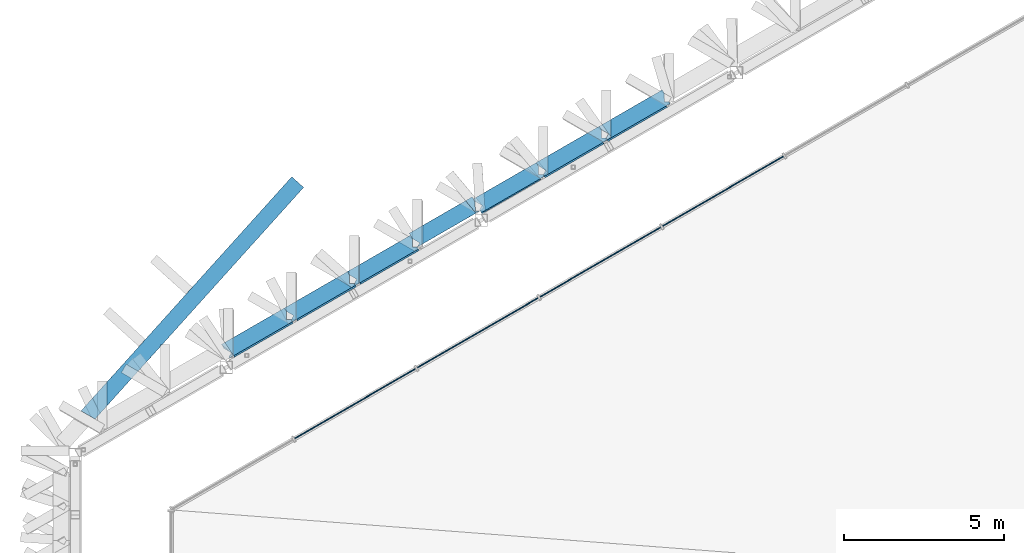
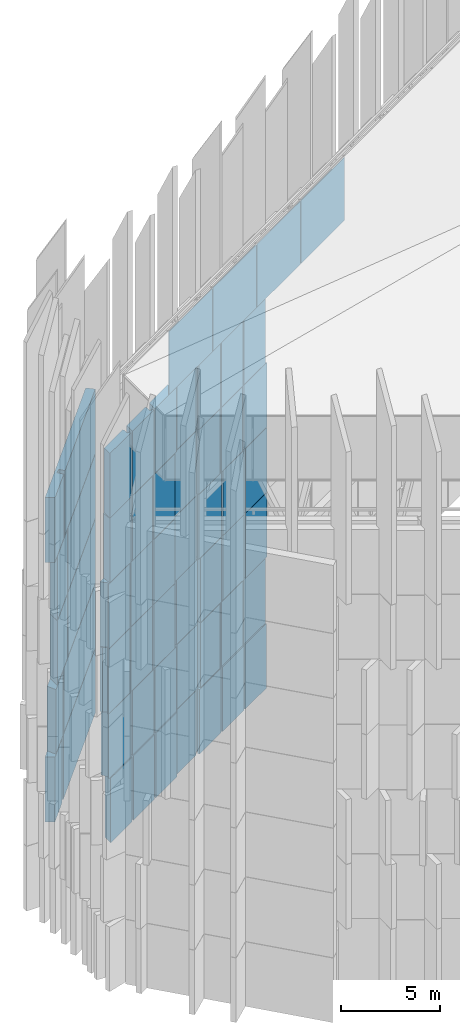
# One storey, part 32 of 45: 51 plates, 1 element without a shape of its own.
"""IFC4 building model written with IfcOpenShell, lengths in metres."""

from ifc_helpers import new_model, si_unit, direction, frame, origin, origin_2d, place, context, subcontext, project, spatial, polyline, rectangle, outline, extrude, material, layer, layer_set, type_object, element, aggregate, save


model = new_model("IFC4")

# Units and contexts
model_context = context("Model", 3, precision=1e-05, world=origin(), true_north=direction((0.0, 1.0)))
body_context = subcontext(model_context, "Body", "Model", "MODEL_VIEW")
ifc_project = project(units=[si_unit("LENGTHUNIT", "METRE"), si_unit("AREAUNIT", "SQUARE_METRE"), si_unit("VOLUMEUNIT", "CUBIC_METRE"), si_unit("PLANEANGLEUNIT", "RADIAN"), si_unit("MASSUNIT", "GRAM", prefix="KILO")], contexts=[model_context])

# Site, building, storey
site_placement = place(None, origin())
site = spatial("IfcSite", under=ifc_project, at=site_placement, CompositionType="ELEMENT")
building_placement = place(site_placement, origin())
building = spatial("IfcBuilding", under=site, at=building_placement, Name="Jabali Bay Hotel Tower and Convention Centre", CompositionType="ELEMENT")
storey_placement = place(building_placement, frame((0.0, 0.0, 322.39990234375)))
storey = spatial("IfcBuildingStorey", under=building, at=storey_placement, Name="Crown", CompositionType="ELEMENT", Elevation=322.39990234375)

# Curtain wall, plates
ifc_material_1 = material(Name="Aluminium and glass", Category="aluminium")
ifc_layer_1 = layer(ifc_material_1, 0.199951171875)
ifc_layer_set_1 = layer_set([ifc_layer_1], Name="Aluminium and glass")
curtain_wall_type = type_object("IfcCurtainWallType", Name="CW6 curtain wall", PredefinedType="NOTDEFINED", material=ifc_layer_set_1)
curtain_wall_placement = place(storey_placement, origin())
curtain_wall = element("IfcCurtainWall", 1, at=curtain_wall_placement, inside=storey, type_object=curtain_wall_type, Name="CW6 lantern glazing 3", PredefinedType="NOTDEFINED")
ifc_material_2 = material(Name="Glass", Category="glass")
ifc_layer_2 = layer(ifc_material_2, 0.031982421875)
ifc_layer_set_2 = layer_set([ifc_layer_2], Name="Glass")
plate_type_1 = type_object("IfcPlateType", Name="CW6 glass panel 32", PredefinedType="CURTAIN_PANEL", material=ifc_layer_set_2)
plate_1_placement = place(storey_placement, frame((65.505615234375, 92.0107421875, 28.41015625), z_axis=(0.0, 0.0, 1.0), x_axis=(-0.866025400826, -0.500000005124, 0.0)))
plate_1 = element("IfcPlate", 2, at=plate_1_placement, type_object=plate_type_1, Name="CW6 panel 6.1", PredefinedType="CURTAIN_PANEL", context=body_context, shape_type="SweptSolid", body=[
    extrude(rectangle(XDim=4.3740234375, YDim=0.031982421875, at=origin_2d()), origin(), (0.0, 0.0, 1.0), 3.8798828125),
])
plate_2_placement = place(storey_placement, frame((61.665771484375, 89.793701171875, 28.41015625), z_axis=(0.0, 0.0, 1.0), x_axis=(-0.866025400826, -0.500000005124, 0.0)))
plate_2 = element("IfcPlate", 3, at=plate_2_placement, type_object=plate_type_1, Name="CW6 panel 7.1", PredefinedType="CURTAIN_PANEL", context=body_context, shape_type="SweptSolid", body=[
    extrude(rectangle(XDim=4.3740234375, YDim=0.031982421875, at=origin_2d()), origin(), (0.0, 0.0, 1.0), 3.8798828125),
])
plate_3_placement = place(storey_placement, frame((57.82568359375, 87.57666015625, 28.41015625), z_axis=(0.0, 0.0, 1.0), x_axis=(-0.866025400826, -0.500000005124, 0.0)))
plate_3 = element("IfcPlate", 4, at=plate_3_placement, type_object=plate_type_1, Name="CW6 panel 8.1", PredefinedType="CURTAIN_PANEL", context=body_context, shape_type="SweptSolid", body=[
    extrude(rectangle(XDim=4.3740234375, YDim=0.031982421875, at=origin_2d()), origin(), (0.0, 0.0, 1.0), 3.8798828125),
])
plate_4_placement = place(storey_placement, frame((53.98583984375, 85.35986328125, 28.41015625), z_axis=(0.0, 0.0, 1.0), x_axis=(-0.866025400826, -0.500000005124, 0.0)))
plate_4 = element("IfcPlate", 5, at=plate_4_placement, type_object=plate_type_1, Name="CW6 panel 9.1", PredefinedType="CURTAIN_PANEL", context=body_context, shape_type="SweptSolid", body=[
    extrude(rectangle(XDim=4.3740234375, YDim=0.031982421875, at=origin_2d()), origin(), (0.0, 0.0, 1.0), 3.8798828125),
])
aggregate(curtain_wall, [plate_1, plate_2, plate_3, plate_4])

# Plates
ifc_material_3 = material(Name="Precast concrete C60", Category="concrete")
ifc_layer_3 = layer(ifc_material_3, 0.5)
ifc_layer_set_3 = layer_set([ifc_layer_3], Name="Precast concrete C60")
plate_type_2 = type_object("IfcPlateType", Name="Pierced precast screen", PredefinedType="USERDEFINED", material=ifc_layer_set_3)
plate_5_placement = place(storey_placement, frame((0.0, 0.0, 0.010009765625)))
element("IfcPlate", 6, at=plate_5_placement, inside=storey, type_object=plate_type_2, Name="Screen 1.2.39", ObjectType="SCREEN", PredefinedType="USERDEFINED", context=body_context, shape_type="SweptSolid", body=[
    extrude(outline(polyline([(61.90771484375, 93.57080078125), (63.7666015625, 94.64404296875), (63.2666015625, 94.9326171875), (61.65771484375, 94.00390625), (61.72021484375, 93.8955078125), (61.9453125, 93.765625), (61.870361328125, 93.6357421875), (61.90771484375, 93.57080078125)])), origin(), (0.0, 0.0, 1.0), 3.9658203125),
])
plate_6_placement = place(storey_placement, frame((0.0, 0.0, 0.010009765625)))
element("IfcPlate", 7, at=plate_6_placement, inside=storey, type_object=plate_type_2, Name="Screen 1.2.40", ObjectType="SCREEN", PredefinedType="USERDEFINED", context=body_context, shape_type="SweptSolid", body=[
    extrude(outline(polyline([(59.9365234375, 92.4326171875), (61.79541015625, 93.505859375), (61.29541015625, 93.79443359375), (59.6865234375, 92.86572265625), (59.7490234375, 92.75732421875), (59.973876953125, 92.62744140625), (59.89892578125, 92.49755859375), (59.9365234375, 92.4326171875)])), origin(), (0.0, 0.0, 1.0), 3.9658203125),
])
plate_7_placement = place(storey_placement, frame((0.0, 0.0, 0.010009765625)))
element("IfcPlate", 8, at=plate_7_placement, inside=storey, type_object=plate_type_2, Name="Screen 1.2.41", ObjectType="SCREEN", PredefinedType="USERDEFINED", context=body_context, shape_type="SweptSolid", body=[
    extrude(outline(polyline([(57.95849609375, 91.305908203125), (59.810791015625, 92.375244140625), (59.310791015625, 92.6640625), (57.780029296875, 91.7802734375), (58.01708984375, 91.499267578125), (57.902587890625, 91.402587890625), (57.95849609375, 91.305908203125)])), origin(), (0.0, 0.0, 1.0), 3.9658203125),
])
plate_8_placement = place(storey_placement, frame((0.0, 0.0, 0.010009765625)))
element("IfcPlate", 9, at=plate_8_placement, inside=storey, type_object=plate_type_2, Name="Screen 1.2.42", ObjectType="SCREEN", PredefinedType="USERDEFINED", context=body_context, shape_type="SweptSolid", body=[
    extrude(outline(polyline([(56.106201171875, 90.363525390625), (57.771728515625, 91.3251953125), (57.444091796875, 91.71337890625), (56.106201171875, 90.94091796875), (56.106201171875, 90.363525390625)])), origin(), (0.0, 0.0, 1.0), 3.9658203125),
])
plate_9_placement = place(storey_placement, frame((0.0, 0.0, 0.010009765625)))
element("IfcPlate", 10, at=plate_9_placement, inside=storey, type_object=plate_type_2, Name="Screen 1.2.43", ObjectType="SCREEN", PredefinedType="USERDEFINED", context=body_context, shape_type="SweptSolid", body=[
    extrude(outline(polyline([(54.134765625, 89.0830078125), (55.99365234375, 90.15625), (55.9560546875, 90.22119140625), (55.80615234375, 90.22119140625), (55.80615234375, 90.48095703125), (55.74365234375, 90.58935546875), (54.134765625, 89.660400390625), (54.134765625, 89.0830078125)])), origin(), (0.0, 0.0, 1.0), 3.9658203125),
])
plate_10_placement = place(storey_placement, frame((0.0, 0.0, 0.010009765625)))
element("IfcPlate", 11, at=plate_10_placement, inside=storey, type_object=plate_type_2, Name="Screen 1.2.44", ObjectType="SCREEN", PredefinedType="USERDEFINED", context=body_context, shape_type="SweptSolid", body=[
    extrude(outline(polyline([(52.163330078125, 87.94482421875), (54.022216796875, 89.01806640625), (53.984619140625, 89.0830078125), (53.834716796875, 89.0830078125), (53.834716796875, 89.3427734375), (53.772216796875, 89.451171875), (52.163330078125, 88.522216796875), (52.163330078125, 87.94482421875)])), origin(), (0.0, 0.0, 1.0), 3.9658203125),
])
plate_11_placement = place(storey_placement, frame((0.0, 0.0, 0.010009765625)))
element("IfcPlate", 12, at=plate_11_placement, inside=storey, type_object=plate_type_2, Name="Screen 1.2.45", ObjectType="SCREEN", PredefinedType="USERDEFINED", context=body_context, shape_type="SweptSolid", body=[
    extrude(outline(polyline([(50.19189453125, 86.806640625), (52.05078125, 87.8798828125), (52.013427734375, 87.94482421875), (51.86328125, 87.94482421875), (51.86328125, 88.20458984375), (51.80078125, 88.31298828125), (50.19189453125, 87.384033203125), (50.19189453125, 86.806640625)])), origin(), (0.0, 0.0, 1.0), 3.9658203125),
])
plate_12_placement = place(storey_placement, frame((0.0, 0.0, 3.995849609375)))
element("IfcPlate", 13, at=plate_12_placement, inside=storey, type_object=plate_type_2, Name="Screen 2.2.39", ObjectType="SCREEN", PredefinedType="USERDEFINED", context=body_context, shape_type="SweptSolid", body=[
    extrude(outline(polyline([(61.8828125, 93.614013671875), (63.74169921875, 94.687255859375), (63.24169921875, 94.97607421875), (61.6328125, 94.047119140625), (61.6953125, 93.93896484375), (61.92041015625, 93.808837890625), (61.84521484375, 93.678955078125), (61.8828125, 93.614013671875)])), origin(), (0.0, 0.0, 1.0), 3.965576171875),
])
plate_13_placement = place(storey_placement, frame((0.0, 0.0, 3.995849609375)))
element("IfcPlate", 14, at=plate_13_placement, inside=storey, type_object=plate_type_2, Name="Screen 2.2.40", ObjectType="SCREEN", PredefinedType="USERDEFINED", context=body_context, shape_type="SweptSolid", body=[
    extrude(outline(polyline([(59.911376953125, 92.475830078125), (61.770263671875, 93.549072265625), (61.270263671875, 93.837890625), (59.721435546875, 92.943603515625), (60.013427734375, 92.5947265625), (59.8984375, 92.498291015625), (59.911376953125, 92.475830078125)])), origin(), (0.0, 0.0, 1.0), 3.965576171875),
])
plate_14_placement = place(storey_placement, frame((0.0, 0.0, 3.995849609375)))
element("IfcPlate", 15, at=plate_14_placement, inside=storey, type_object=plate_type_2, Name="Screen 2.2.41", ObjectType="SCREEN", PredefinedType="USERDEFINED", context=body_context, shape_type="SweptSolid", body=[
    extrude(outline(polyline([(58.056396484375, 91.405029296875), (59.783447265625, 92.402099609375), (59.45751953125, 92.791259765625), (58.020263671875, 91.96142578125), (58.056396484375, 91.405029296875)])), origin(), (0.0, 0.0, 1.0), 3.965576171875),
])
plate_15_placement = place(storey_placement, frame((0.0, 0.0, 3.995849609375)))
element("IfcPlate", 16, at=plate_15_placement, inside=storey, type_object=plate_type_2, Name="Screen 2.2.42", ObjectType="SCREEN", PredefinedType="USERDEFINED", context=body_context, shape_type="SweptSolid", body=[
    extrude(outline(polyline([(56.0810546875, 90.34912109375), (57.891357421875, 91.394287109375), (57.757080078125, 91.385498046875), (57.7373046875, 91.688720703125), (57.6533203125, 91.834228515625), (56.0810546875, 90.92626953125), (56.0810546875, 90.34912109375)])), origin(), (0.0, 0.0, 1.0), 3.965576171875),
])
plate_16_placement = place(storey_placement, frame((0.0, 0.0, 3.995849609375)))
element("IfcPlate", 17, at=plate_16_placement, inside=storey, type_object=plate_type_2, Name="Screen 2.2.43", ObjectType="SCREEN", PredefinedType="USERDEFINED", context=body_context, shape_type="SweptSolid", body=[
    extrude(outline(polyline([(54.109619140625, 89.126220703125), (55.968505859375, 90.199462890625), (55.93115234375, 90.264404296875), (55.781005859375, 90.264404296875), (55.781005859375, 90.524169921875), (55.718505859375, 90.632568359375), (54.109619140625, 89.70361328125), (54.109619140625, 89.126220703125)])), origin(), (0.0, 0.0, 1.0), 3.965576171875),
])
plate_17_placement = place(storey_placement, frame((0.0, 0.0, 3.995849609375)))
element("IfcPlate", 18, at=plate_17_placement, inside=storey, type_object=plate_type_2, Name="Screen 2.2.44", ObjectType="SCREEN", PredefinedType="USERDEFINED", context=body_context, shape_type="SweptSolid", body=[
    extrude(outline(polyline([(52.138427734375, 87.988037109375), (53.997314453125, 89.061279296875), (53.959716796875, 89.126220703125), (53.809814453125, 89.126220703125), (53.809814453125, 89.385986328125), (53.747314453125, 89.494384765625), (52.138427734375, 88.5654296875), (52.138427734375, 87.988037109375)])), origin(), (0.0, 0.0, 1.0), 3.965576171875),
])
plate_18_placement = place(storey_placement, frame((0.0, 0.0, 3.995849609375)))
element("IfcPlate", 19, at=plate_18_placement, inside=storey, type_object=plate_type_2, Name="Screen 2.2.45", ObjectType="SCREEN", PredefinedType="USERDEFINED", context=body_context, shape_type="SweptSolid", body=[
    extrude(outline(polyline([(50.054443359375, 86.784912109375), (52.02587890625, 87.923095703125), (51.98828125, 87.988037109375), (51.83837890625, 87.988037109375), (51.83837890625, 88.247802734375), (51.77587890625, 88.356201171875), (49.908935546875, 87.2783203125), (50.1787109375, 86.869384765625), (50.053466796875, 86.786865234375), (50.054443359375, 86.784912109375)])), origin(), (0.0, 0.0, 1.0), 3.965576171875),
])
plate_19_placement = place(storey_placement, frame((0.0, 0.0, 7.9814453125)))
element("IfcPlate", 20, at=plate_19_placement, inside=storey, type_object=plate_type_2, Name="Screen 3.2.39", ObjectType="SCREEN", PredefinedType="USERDEFINED", context=body_context, shape_type="SweptSolid", body=[
    extrude(outline(polyline([(61.995361328125, 93.67919921875), (63.854248046875, 94.752197265625), (63.819091796875, 94.813232421875), (63.669189453125, 94.80810546875), (63.6591796875, 95.090087890625), (63.604248046875, 95.185302734375), (61.995361328125, 94.25634765625), (61.995361328125, 93.67919921875)])), origin(), (0.0, 0.0, 1.0), 3.9658203125),
])
plate_20_placement = place(storey_placement, frame((0.0, 0.0, 7.9814453125)))
element("IfcPlate", 21, at=plate_20_placement, inside=storey, type_object=plate_type_2, Name="Screen 3.2.40", ObjectType="SCREEN", PredefinedType="USERDEFINED", context=body_context, shape_type="SweptSolid", body=[
    extrude(outline(polyline([(60.02392578125, 92.541015625), (61.8828125, 93.614013671875), (61.84521484375, 93.678955078125), (61.6953125, 93.678955078125), (61.6953125, 93.93896484375), (61.6328125, 94.047119140625), (60.02392578125, 93.1181640625), (60.02392578125, 92.541015625)])), origin(), (0.0, 0.0, 1.0), 3.9658203125),
])
plate_21_placement = place(storey_placement, frame((0.0, 0.0, 7.9814453125)))
element("IfcPlate", 22, at=plate_21_placement, inside=storey, type_object=plate_type_2, Name="Screen 3.2.41", ObjectType="SCREEN", PredefinedType="USERDEFINED", context=body_context, shape_type="SweptSolid", body=[
    extrude(outline(polyline([(58.056396484375, 91.405029296875), (59.911376953125, 92.475830078125), (59.8740234375, 92.540771484375), (59.723876953125, 92.540771484375), (59.723876953125, 92.80078125), (59.661376953125, 92.908935546875), (58.021240234375, 91.9619140625), (58.056396484375, 91.405029296875)])), origin(), (0.0, 0.0, 1.0), 3.9658203125),
])
plate_22_placement = place(storey_placement, frame((0.0, 0.0, 7.9814453125)))
element("IfcPlate", 23, at=plate_22_placement, inside=storey, type_object=plate_type_2, Name="Screen 3.2.42", ObjectType="SCREEN", PredefinedType="USERDEFINED", context=body_context, shape_type="SweptSolid", body=[
    extrude(outline(polyline([(56.0595703125, 90.33642578125), (57.89208984375, 91.39453125), (57.757080078125, 91.385986328125), (57.738037109375, 91.687744140625), (57.6533203125, 91.834228515625), (55.789794921875, 90.75830078125), (56.0595703125, 90.33642578125)])), origin(), (0.0, 0.0, 1.0), 3.9658203125),
])
plate_23_placement = place(storey_placement, frame((0.0, 0.0, 7.9814453125)))
element("IfcPlate", 24, at=plate_23_placement, inside=storey, type_object=plate_type_2, Name="Screen 3.2.43", ObjectType="SCREEN", PredefinedType="USERDEFINED", context=body_context, shape_type="SweptSolid", body=[
    extrude(outline(polyline([(53.997314453125, 89.061279296875), (55.8388671875, 90.12451171875), (55.5693359375, 90.54638671875), (53.747314453125, 89.494384765625), (53.802001953125, 89.399658203125), (54.041748046875, 89.249267578125), (53.962158203125, 89.1220703125), (53.997314453125, 89.061279296875)])), origin(), (0.0, 0.0, 1.0), 3.9658203125),
])
plate_24_placement = place(storey_placement, frame((0.0, 0.0, 7.9814453125)))
element("IfcPlate", 25, at=plate_24_placement, inside=storey, type_object=plate_type_2, Name="Screen 3.2.44", ObjectType="SCREEN", PredefinedType="USERDEFINED", context=body_context, shape_type="SweptSolid", body=[
    extrude(outline(polyline([(52.02587890625, 87.923095703125), (53.88232421875, 88.9951171875), (53.403076171875, 89.295654296875), (51.77587890625, 88.356201171875), (51.83837890625, 88.247802734375), (52.063232421875, 88.117919921875), (51.98828125, 87.988037109375), (52.02587890625, 87.923095703125)])), origin(), (0.0, 0.0, 1.0), 3.9658203125),
])
plate_25_placement = place(storey_placement, frame((0.0, 0.0, 7.9814453125)))
element("IfcPlate", 26, at=plate_25_placement, inside=storey, type_object=plate_type_2, Name="Screen 3.2.45", ObjectType="SCREEN", PredefinedType="USERDEFINED", context=body_context, shape_type="SweptSolid", body=[
    extrude(outline(polyline([(50.054443359375, 86.784912109375), (51.913330078125, 87.858154296875), (51.413330078125, 88.14697265625), (49.804443359375, 87.218017578125), (49.881591796875, 87.084228515625), (50.106689453125, 86.954345703125), (50.03173828125, 86.824462890625), (50.054443359375, 86.784912109375)])), origin(), (0.0, 0.0, 1.0), 3.9658203125),
])
plate_26_placement = place(storey_placement, frame((0.0, 0.0, 11.96728515625)))
element("IfcPlate", 27, at=plate_26_placement, inside=storey, type_object=plate_type_2, Name="Screen 4.2.39", ObjectType="SCREEN", PredefinedType="USERDEFINED", context=body_context, shape_type="SweptSolid", body=[
    extrude(outline(polyline([(61.995361328125, 93.67919921875), (63.854248046875, 94.752197265625), (63.816650390625, 94.817138671875), (63.666748046875, 94.817138671875), (63.666748046875, 95.0771484375), (63.604248046875, 95.185302734375), (61.995361328125, 94.25634765625), (61.995361328125, 93.67919921875)])), origin(), (0.0, 0.0, 1.0), 3.965576171875),
])
plate_27_placement = place(storey_placement, frame((0.0, 0.0, 11.96728515625)))
element("IfcPlate", 28, at=plate_27_placement, inside=storey, type_object=plate_type_2, Name="Screen 4.2.40", ObjectType="SCREEN", PredefinedType="USERDEFINED", context=body_context, shape_type="SweptSolid", body=[
    extrude(outline(polyline([(60.02392578125, 92.541015625), (61.8828125, 93.614013671875), (61.84521484375, 93.678955078125), (61.6953125, 93.678955078125), (61.6953125, 93.93896484375), (61.6328125, 94.047119140625), (60.02392578125, 93.1181640625), (60.02392578125, 92.541015625)])), origin(), (0.0, 0.0, 1.0), 3.965576171875),
])
plate_28_placement = place(storey_placement, frame((0.0, 0.0, 11.96728515625)))
element("IfcPlate", 29, at=plate_28_placement, inside=storey, type_object=plate_type_2, Name="Screen 4.2.41", ObjectType="SCREEN", PredefinedType="USERDEFINED", context=body_context, shape_type="SweptSolid", body=[
    extrude(outline(polyline([(57.93994140625, 91.337646484375), (59.911376953125, 92.475830078125), (59.8740234375, 92.540771484375), (59.723876953125, 92.540771484375), (59.723876953125, 92.80078125), (59.661376953125, 92.908935546875), (57.75732421875, 91.8095703125), (58.017822265625, 91.49853515625), (57.90283203125, 91.402099609375), (57.93994140625, 91.337646484375)])), origin(), (0.0, 0.0, 1.0), 3.965576171875),
])
plate_29_placement = place(storey_placement, frame((0.0, 0.0, 11.96728515625)))
element("IfcPlate", 30, at=plate_29_placement, inside=storey, type_object=plate_type_2, Name="Screen 4.2.42", ObjectType="SCREEN", PredefinedType="USERDEFINED", context=body_context, shape_type="SweptSolid", body=[
    extrude(outline(polyline([(55.93212890625, 90.262939453125), (57.771728515625, 91.3251953125), (57.44580078125, 91.714111328125), (55.68212890625, 90.696044921875), (55.781005859375, 90.524169921875), (56.006103515625, 90.394287109375), (55.93115234375, 90.264404296875), (55.93212890625, 90.262939453125)])), origin(), (0.0, 0.0, 1.0), 3.965576171875),
])
plate_30_placement = place(storey_placement, frame((0.0, 0.0, 11.96728515625)))
element("IfcPlate", 31, at=plate_30_placement, inside=storey, type_object=plate_type_2, Name="Screen 4.2.43", ObjectType="SCREEN", PredefinedType="USERDEFINED", context=body_context, shape_type="SweptSolid", body=[
    extrude(outline(polyline([(53.997314453125, 89.061279296875), (55.856201171875, 90.134521484375), (55.356201171875, 90.42333984375), (53.747314453125, 89.494384765625), (53.809814453125, 89.385986328125), (54.03466796875, 89.256103515625), (53.959716796875, 89.126220703125), (53.997314453125, 89.061279296875)])), origin(), (0.0, 0.0, 1.0), 3.965576171875),
])
plate_31_placement = place(storey_placement, frame((0.0, 0.0, 11.96728515625)))
element("IfcPlate", 32, at=plate_31_placement, inside=storey, type_object=plate_type_2, Name="Screen 4.2.44", ObjectType="SCREEN", PredefinedType="USERDEFINED", context=body_context, shape_type="SweptSolid", body=[
    extrude(outline(polyline([(52.02587890625, 87.923095703125), (53.884765625, 88.996337890625), (53.384765625, 89.28515625), (51.77587890625, 88.356201171875), (51.83837890625, 88.247802734375), (52.063232421875, 88.117919921875), (51.98828125, 87.988037109375), (52.02587890625, 87.923095703125)])), origin(), (0.0, 0.0, 1.0), 3.965576171875),
])
plate_32_placement = place(storey_placement, frame((0.0, 0.0, 11.96728515625)))
element("IfcPlate", 33, at=plate_32_placement, inside=storey, type_object=plate_type_2, Name="Screen 4.2.45", ObjectType="SCREEN", PredefinedType="USERDEFINED", context=body_context, shape_type="SweptSolid", body=[
    extrude(outline(polyline([(50.054443359375, 86.784912109375), (51.913330078125, 87.858154296875), (51.413330078125, 88.14697265625), (49.804443359375, 87.218017578125), (49.808837890625, 87.21044921875), (50.140380859375, 86.920166015625), (50.04150390625, 86.807373046875), (50.054443359375, 86.784912109375)])), origin(), (0.0, 0.0, 1.0), 3.965576171875),
])
plate_33_placement = place(storey_placement, frame((0.0, 0.0, 15.952880859375)))
element("IfcPlate", 34, at=plate_33_placement, inside=storey, type_object=plate_type_2, Name="Screen 5.2.39", ObjectType="SCREEN", PredefinedType="USERDEFINED", context=body_context, shape_type="SweptSolid", body=[
    extrude(outline(polyline([(61.8828125, 93.614013671875), (63.854248046875, 94.752197265625), (63.83642578125, 94.782958984375), (63.692626953125, 94.74072265625), (63.568115234375, 95.16455078125), (61.723876953125, 94.099609375), (61.998046875, 93.713134765625), (61.875732421875, 93.626220703125), (61.8828125, 93.614013671875)])), origin(), (0.0, 0.0, 1.0), 3.9658203125),
])
plate_34_placement = place(storey_placement, frame((0.0, 0.0, 15.952880859375)))
element("IfcPlate", 35, at=plate_34_placement, inside=storey, type_object=plate_type_2, Name="Screen 5.2.40", ObjectType="SCREEN", PredefinedType="USERDEFINED", context=body_context, shape_type="SweptSolid", body=[
    extrude(outline(polyline([(59.911376953125, 92.475830078125), (61.75341796875, 93.53955078125), (61.462890625, 93.948974609375), (59.661376953125, 92.908935546875), (59.687744140625, 92.86328125), (59.9736328125, 92.645263671875), (59.882568359375, 92.52587890625), (59.911376953125, 92.475830078125)])), origin(), (0.0, 0.0, 1.0), 3.9658203125),
])
plate_35_placement = place(storey_placement, frame((0.0, 0.0, 15.952880859375)))
element("IfcPlate", 36, at=plate_35_placement, inside=storey, type_object=plate_type_2, Name="Screen 5.2.41", ObjectType="SCREEN", PredefinedType="USERDEFINED", context=body_context, shape_type="SweptSolid", body=[
    extrude(outline(polyline([(57.93994140625, 91.337646484375), (59.79150390625, 92.40673828125), (59.36083984375, 92.7353515625), (57.68994140625, 91.770751953125), (57.7333984375, 91.695556640625), (57.95849609375, 91.565673828125), (57.88330078125, 91.435791015625), (57.93994140625, 91.337646484375)])), origin(), (0.0, 0.0, 1.0), 3.9658203125),
])
plate_36_placement = place(storey_placement, frame((0.0, 0.0, 15.952880859375)))
element("IfcPlate", 37, at=plate_36_placement, inside=storey, type_object=plate_type_2, Name="Screen 5.2.42", ObjectType="SCREEN", PredefinedType="USERDEFINED", context=body_context, shape_type="SweptSolid", body=[
    extrude(outline(polyline([(55.93212890625, 90.262939453125), (57.7734375, 91.326171875), (57.2734375, 91.61474609375), (55.68212890625, 90.696044921875), (55.781005859375, 90.524169921875), (56.006103515625, 90.394287109375), (55.93115234375, 90.264404296875), (55.93212890625, 90.262939453125)])), origin(), (0.0, 0.0, 1.0), 3.9658203125),
])
plate_37_placement = place(storey_placement, frame((0.0, 0.0, 15.952880859375)))
element("IfcPlate", 38, at=plate_37_placement, inside=storey, type_object=plate_type_2, Name="Screen 5.2.43", ObjectType="SCREEN", PredefinedType="USERDEFINED", context=body_context, shape_type="SweptSolid", body=[
    extrude(outline(polyline([(53.997314453125, 89.061279296875), (55.856201171875, 90.134521484375), (55.356201171875, 90.42333984375), (53.753173828125, 89.497802734375), (54.07275390625, 89.21484375), (53.973388671875, 89.1025390625), (53.997314453125, 89.061279296875)])), origin(), (0.0, 0.0, 1.0), 3.9658203125),
])
plate_38_placement = place(storey_placement, frame((0.0, 0.0, 15.952880859375)))
element("IfcPlate", 39, at=plate_38_placement, inside=storey, type_object=plate_type_2, Name="Screen 5.2.44", ObjectType="SCREEN", PredefinedType="USERDEFINED", context=body_context, shape_type="SweptSolid", body=[
    extrude(outline(polyline([(52.155517578125, 87.998046875), (53.8740234375, 88.990234375), (53.479248046875, 89.339599609375), (51.923828125, 88.441650390625), (52.155517578125, 87.998046875)])), origin(), (0.0, 0.0, 1.0), 3.9658203125),
])
plate_39_placement = place(storey_placement, frame((0.0, 0.0, 15.952880859375)))
element("IfcPlate", 40, at=plate_39_placement, inside=storey, type_object=plate_type_2, Name="Screen 5.2.45", ObjectType="SCREEN", PredefinedType="USERDEFINED", context=body_context, shape_type="SweptSolid", body=[
    extrude(outline(polyline([(50.1728515625, 86.853271484375), (52.02587890625, 87.923095703125), (52.022705078125, 87.9287109375), (51.8896484375, 87.859130859375), (51.663818359375, 88.29150390625), (50.1181640625, 87.399169921875), (50.1728515625, 86.853271484375)])), origin(), (0.0, 0.0, 1.0), 3.9658203125),
])
plate_40_placement = place(storey_placement, frame((0.0, 0.0, 19.938720703125)))
element("IfcPlate", 41, at=plate_40_placement, inside=storey, type_object=plate_type_2, Name="Screen 6.2.39", ObjectType="SCREEN", PredefinedType="USERDEFINED", context=body_context, shape_type="SweptSolid", body=[
    extrude(outline(polyline([(61.8828125, 93.614013671875), (63.74169921875, 94.687255859375), (63.24169921875, 94.97607421875), (61.6328125, 94.047119140625), (61.6953125, 93.93896484375), (61.92041015625, 93.808837890625), (61.84521484375, 93.678955078125), (61.8828125, 93.614013671875)])), origin(), (0.0, 0.0, 1.0), 3.965576171875),
])
plate_41_placement = place(storey_placement, frame((0.0, 0.0, 19.938720703125)))
element("IfcPlate", 42, at=plate_41_placement, inside=storey, type_object=plate_type_2, Name="Screen 6.2.40", ObjectType="SCREEN", PredefinedType="USERDEFINED", context=body_context, shape_type="SweptSolid", body=[
    extrude(outline(polyline([(59.911376953125, 92.475830078125), (61.770263671875, 93.549072265625), (61.270263671875, 93.837890625), (59.661376953125, 92.908935546875), (59.723876953125, 92.80078125), (59.948974609375, 92.670654296875), (59.8740234375, 92.540771484375), (59.911376953125, 92.475830078125)])), origin(), (0.0, 0.0, 1.0), 3.965576171875),
])
plate_42_placement = place(storey_placement, frame((0.0, 0.0, 19.938720703125)))
element("IfcPlate", 43, at=plate_42_placement, inside=storey, type_object=plate_type_2, Name="Screen 6.2.41", ObjectType="SCREEN", PredefinedType="USERDEFINED", context=body_context, shape_type="SweptSolid", body=[
    extrude(outline(polyline([(57.93994140625, 91.337646484375), (59.798828125, 92.410888671875), (59.298828125, 92.69970703125), (57.756103515625, 91.808837890625), (58.01708984375, 91.499267578125), (57.902587890625, 91.402587890625), (57.93994140625, 91.337646484375)])), origin(), (0.0, 0.0, 1.0), 3.965576171875),
])
plate_43_placement = place(storey_placement, frame((0.0, 0.0, 19.938720703125)))
element("IfcPlate", 44, at=plate_43_placement, inside=storey, type_object=plate_type_2, Name="Screen 6.2.42", ObjectType="SCREEN", PredefinedType="USERDEFINED", context=body_context, shape_type="SweptSolid", body=[
    extrude(outline(polyline([(56.0810546875, 90.34912109375), (57.771728515625, 91.3251953125), (57.444091796875, 91.71337890625), (56.0810546875, 90.92626953125), (56.0810546875, 90.34912109375)])), origin(), (0.0, 0.0, 1.0), 3.965576171875),
])
plate_44_placement = place(storey_placement, frame((0.0, 0.0, 19.938720703125)))
element("IfcPlate", 45, at=plate_44_placement, inside=storey, type_object=plate_type_2, Name="Screen 6.2.43", ObjectType="SCREEN", PredefinedType="USERDEFINED", context=body_context, shape_type="SweptSolid", body=[
    extrude(outline(polyline([(54.109619140625, 89.126220703125), (55.968505859375, 90.199462890625), (55.93115234375, 90.264404296875), (55.781005859375, 90.264404296875), (55.781005859375, 90.524169921875), (55.718505859375, 90.632568359375), (54.109619140625, 89.70361328125), (54.109619140625, 89.126220703125)])), origin(), (0.0, 0.0, 1.0), 3.965576171875),
])
plate_45_placement = place(storey_placement, frame((0.0, 0.0, 19.938720703125)))
element("IfcPlate", 46, at=plate_45_placement, inside=storey, type_object=plate_type_2, Name="Screen 6.2.44", ObjectType="SCREEN", PredefinedType="USERDEFINED", context=body_context, shape_type="SweptSolid", body=[
    extrude(outline(polyline([(52.138427734375, 87.988037109375), (53.997314453125, 89.061279296875), (53.959716796875, 89.126220703125), (53.809814453125, 89.126220703125), (53.809814453125, 89.385986328125), (53.747314453125, 89.494384765625), (52.138427734375, 88.5654296875), (52.138427734375, 87.988037109375)])), origin(), (0.0, 0.0, 1.0), 3.965576171875),
])
plate_46_placement = place(storey_placement, frame((0.0, 0.0, 19.938720703125)))
element("IfcPlate", 47, at=plate_46_placement, inside=storey, type_object=plate_type_2, Name="Screen 6.2.45", ObjectType="SCREEN", PredefinedType="USERDEFINED", context=body_context, shape_type="SweptSolid", body=[
    extrude(outline(polyline([(50.1669921875, 86.849853515625), (52.02587890625, 87.923095703125), (51.98828125, 87.988037109375), (51.83837890625, 87.988037109375), (51.83837890625, 88.247802734375), (51.77587890625, 88.356201171875), (50.1669921875, 87.42724609375), (50.1669921875, 86.849853515625)])), origin(), (0.0, 0.0, 1.0), 3.965576171875),
])
plate_47_placement = place(storey_placement, frame((0.0, 0.0, 3.995849609375)))
element("IfcPlate", 48, at=plate_47_placement, inside=storey, type_object=plate_type_2, Name="Screen 2.W01", ObjectType="SCREEN", PredefinedType="USERDEFINED", context=body_context, shape_type="SweptSolid", body=[
    extrude(outline(polyline([(45.846923828125, 84.8779296875), (46.990234375, 86.147705078125), (46.67138671875, 86.331787109375), (46.821533203125, 86.591552734375), (47.1953125, 86.375732421875), (52.37646484375, 92.1298828125), (52.0048828125, 92.46435546875), (45.404052734375, 85.133544921875), (45.846923828125, 84.8779296875)])), origin(), (0.0, 0.0, 1.0), 3.965576171875),
])
plate_48_placement = place(storey_placement, frame((0.0, 0.0, 7.9814453125)))
element("IfcPlate", 49, at=plate_48_placement, inside=storey, type_object=plate_type_2, Name="Screen 3.W02", ObjectType="SCREEN", PredefinedType="USERDEFINED", context=body_context, shape_type="SweptSolid", body=[
    extrude(outline(polyline([(46.00732421875, 85.056396484375), (47.130126953125, 86.30322265625), (46.83203125, 86.564453125), (47.02978515625, 86.7900390625), (47.330810546875, 86.526123046875), (52.37646484375, 92.1298828125), (52.0048828125, 92.46435546875), (45.768798828125, 85.53857421875), (46.00732421875, 85.056396484375)])), origin(), (0.0, 0.0, 1.0), 3.9658203125),
])
plate_49_placement = place(storey_placement, frame((0.0, 0.0, 11.96728515625)))
element("IfcPlate", 50, at=plate_49_placement, inside=storey, type_object=plate_type_2, Name="Screen 4.W02", ObjectType="SCREEN", PredefinedType="USERDEFINED", context=body_context, shape_type="SweptSolid", body=[
    extrude(outline(polyline([(46.22412109375, 85.297119140625), (47.8955078125, 87.1533203125), (47.8955078125, 87.211669921875), (47.9482421875, 87.211669921875), (52.37646484375, 92.1298828125), (52.0048828125, 92.46435546875), (46.22412109375, 86.044189453125), (46.22412109375, 85.297119140625)])), origin(), (0.0, 0.0, 1.0), 3.965576171875),
])
plate_50_placement = place(storey_placement, frame((0.0, 0.0, 15.952880859375)))
element("IfcPlate", 51, at=plate_50_placement, inside=storey, type_object=plate_type_2, Name="Screen 5.W02", ObjectType="SCREEN", PredefinedType="USERDEFINED", context=body_context, shape_type="SweptSolid", body=[
    extrude(outline(polyline([(46.22412109375, 85.297119140625), (47.8955078125, 87.1533203125), (47.8955078125, 87.211669921875), (47.9482421875, 87.211669921875), (52.37646484375, 92.1298828125), (52.0048828125, 92.46435546875), (46.22412109375, 86.044189453125), (46.22412109375, 85.297119140625)])), origin(), (0.0, 0.0, 1.0), 3.9658203125),
])
plate_51_placement = place(storey_placement, frame((0.0, 0.0, 19.938720703125)))
element("IfcPlate", 52, at=plate_51_placement, inside=storey, type_object=plate_type_2, Name="Screen 6.W01", ObjectType="SCREEN", PredefinedType="USERDEFINED", context=body_context, shape_type="SweptSolid", body=[
    extrude(outline(polyline([(45.846923828125, 84.8779296875), (47.26318359375, 86.450927734375), (47.02685546875, 86.751220703125), (47.262451171875, 86.936767578125), (47.466796875, 86.67724609375), (52.37646484375, 92.1298828125), (52.0048828125, 92.46435546875), (45.404052734375, 85.133544921875), (45.846923828125, 84.8779296875)])), origin(), (0.0, 0.0, 1.0), 3.965576171875),
])

save(model, "model.ifc")
